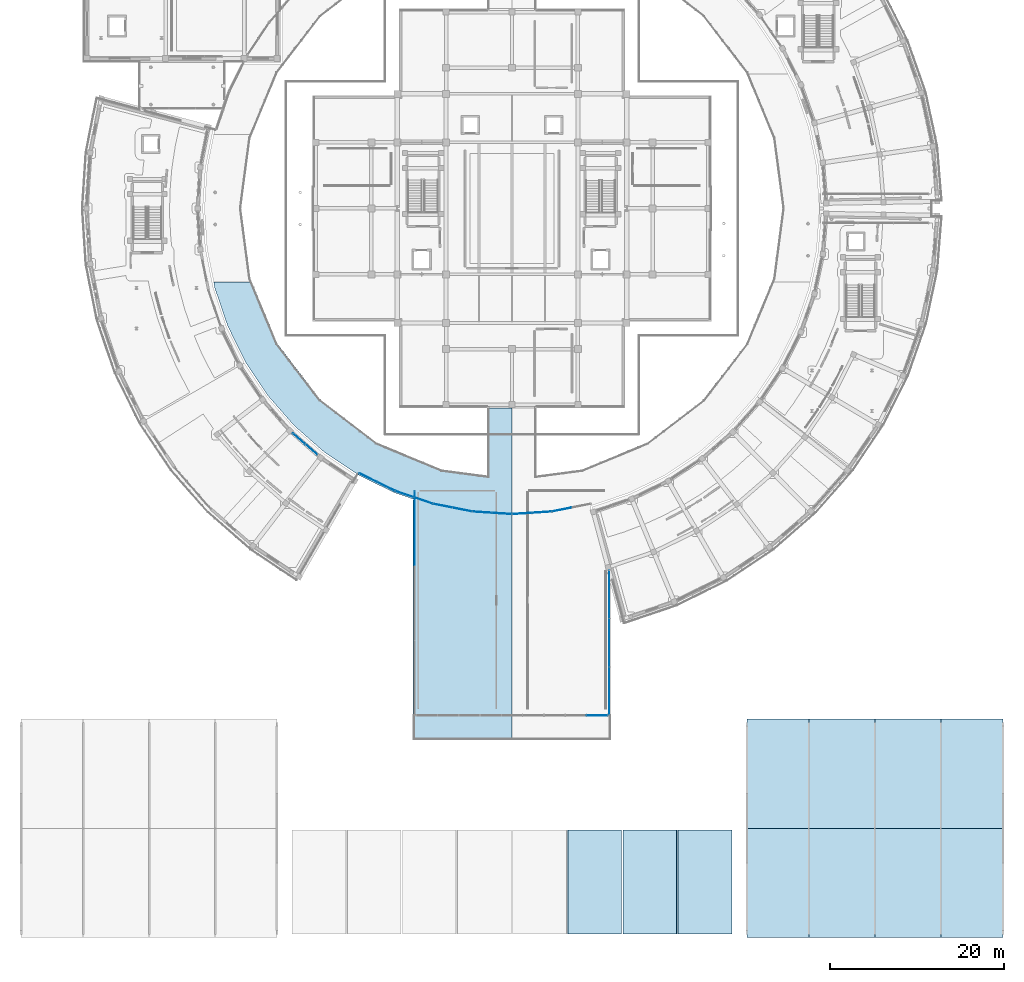
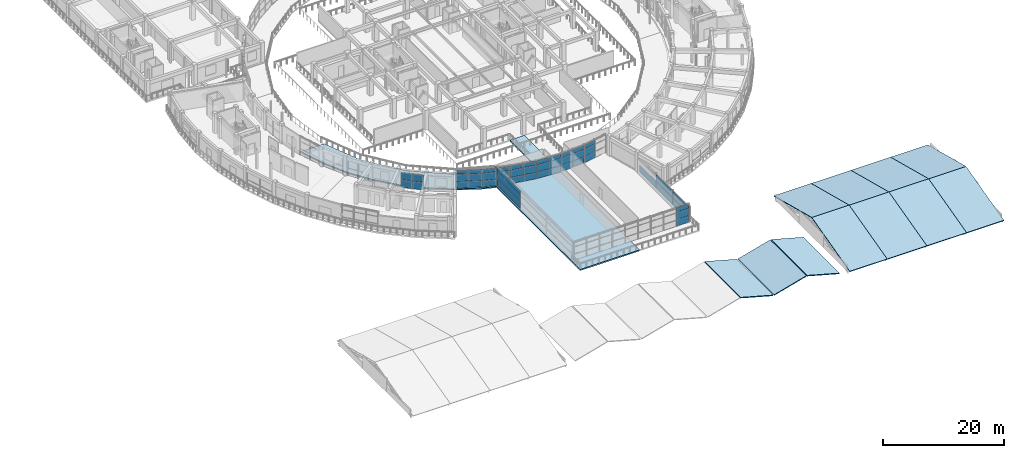
# One storey, part 45 of 83: 48 plates, 12 slabs, 10 elements without a shape of their own.
"""IFC4 building model written with IfcOpenShell, lengths in metres."""

from ifc_helpers import new_model, si_unit, direction, frame, origin, origin_2d, place, context, subcontext, project, spatial, polyline, rectangle, outline, extrude, material, layer, layer_set, type_object, element, aggregate, save


model = new_model("IFC4")

# Units and contexts
model_context = context("Model", 3, precision=1e-05, world=origin(), true_north=direction((0.0, 1.0)))
body_context = subcontext(model_context, "Body", "Model", "MODEL_VIEW")
ifc_project = project(units=[si_unit("LENGTHUNIT", "METRE"), si_unit("AREAUNIT", "SQUARE_METRE"), si_unit("VOLUMEUNIT", "CUBIC_METRE"), si_unit("PLANEANGLEUNIT", "RADIAN"), si_unit("MASSUNIT", "GRAM", prefix="KILO")], contexts=[model_context])

# Site, building, storey
site_placement = place(None, origin())
site = spatial("IfcSite", under=ifc_project, at=site_placement, CompositionType="ELEMENT")
building_placement = place(site_placement, origin())
building = spatial("IfcBuilding", under=site, at=building_placement, Name="Saryqyr Civic Hall", CompositionType="ELEMENT")
storey_placement = place(building_placement, frame((0.0, 0.0, 9.14990234375)))
storey = spatial("IfcBuildingStorey", under=building, at=storey_placement, Name="L02", CompositionType="ELEMENT", Elevation=9.14990234375)

# Curtain wall, plates
ifc_material_1 = material(Name="Anodised aluminium and triple low-E glass", Category="aluminium")
curtain_wall_type_1 = type_object("IfcCurtainWallType", Name="ENV-CW-STD-27", PredefinedType="NOTDEFINED", material=ifc_material_1)
curtain_wall_1_placement = place(storey_placement, origin())
curtain_wall_1 = element("IfcCurtainWall", 1, at=curtain_wall_1_placement, inside=storey, type_object=curtain_wall_type_1, Name="Curtain wall V4-CWI-L02-08", PredefinedType="NOTDEFINED")
ifc_material_2 = material(Name="Triple low-E insulated glazing", Category="glass")
ifc_layer_1 = layer(ifc_material_2, 0.053955078125, Name="Triple low-E insulated glazing")
ifc_layer_set_1 = layer_set([ifc_layer_1], Name="Triple low-E insulated glazing")
plate_type_1 = type_object("IfcPlateType", Name="ENV-CW-PNL-38", PredefinedType="CURTAIN_PANEL", material=ifc_layer_set_1)
plate_1_placement = place(storey_placement, frame((32.47412109375, 57.463134765625, 0.06005859375), z_axis=(0.0, 0.0, 1.0), x_axis=(0.751850148543, -0.65933402319, 0.0)))
plate_1 = element("IfcPlate", 2, at=plate_1_placement, type_object=plate_type_1, Name="CW-27 panel 1.1", PredefinedType="CURTAIN_PANEL", context=body_context, shape_type="SweptSolid", body=[
    extrude(rectangle(XDim=1.825439453125, YDim=0.053955078125, at=origin_2d()), origin(), (0.0, 0.0, 1.0), 1.491943359375),
])
plate_2_placement = place(storey_placement, frame((32.47412109375, 57.463134765625, 1.6123046875), z_axis=(0.0, 0.0, 1.0), x_axis=(0.751850148543, -0.65933402319, 0.0)))
plate_2 = element("IfcPlate", 3, at=plate_2_placement, type_object=plate_type_1, Name="CW-27 panel 1.2", PredefinedType="CURTAIN_PANEL", context=body_context, shape_type="SweptSolid", body=[
    extrude(rectangle(XDim=1.825439453125, YDim=0.053955078125, at=origin_2d()), origin(), (0.0, 0.0, 1.0), 1.492919921875),
])
plate_3_placement = place(storey_placement, frame((33.8916015625, 56.22021484375, 0.06005859375), z_axis=(0.0, 0.0, 1.0), x_axis=(0.751850148543, -0.65933402319, 0.0)))
plate_3 = element("IfcPlate", 4, at=plate_3_placement, type_object=plate_type_1, Name="CW-27 panel 2.1", PredefinedType="CURTAIN_PANEL", context=body_context, shape_type="SweptSolid", body=[
    extrude(rectangle(XDim=1.825439453125, YDim=0.053955078125, at=origin_2d()), origin(), (0.0, 0.0, 1.0), 1.491943359375),
])
plate_4_placement = place(storey_placement, frame((33.8916015625, 56.22021484375, 1.6123046875), z_axis=(0.0, 0.0, 1.0), x_axis=(0.751850148543, -0.65933402319, 0.0)))
plate_4 = element("IfcPlate", 5, at=plate_4_placement, type_object=plate_type_1, Name="CW-27 panel 2.2", PredefinedType="CURTAIN_PANEL", context=body_context, shape_type="SweptSolid", body=[
    extrude(rectangle(XDim=1.825439453125, YDim=0.053955078125, at=origin_2d()), origin(), (0.0, 0.0, 1.0), 1.492919921875),
])
aggregate(curtain_wall_1, [plate_1, plate_2, plate_3, plate_4])

curtain_wall_type_2 = type_object("IfcCurtainWallType", Name="ENV-CW-STD-70", PredefinedType="NOTDEFINED", material=ifc_material_1)
curtain_wall_2_placement = place(storey_placement, origin())
curtain_wall_2 = element("IfcCurtainWall", 6, at=curtain_wall_2_placement, inside=storey, type_object=curtain_wall_type_2, Name="Curtain wall V2-VESTFLK-SW-L02", PredefinedType="NOTDEFINED")
plate_5_placement = place(storey_placement, frame((45.800048828125, 47.169921875, 0.06005859375), z_axis=(0.0, 0.0, 1.0), x_axis=(0.0, 1.0, 0.0)))
plate_5 = element("IfcPlate", 7, at=plate_5_placement, type_object=plate_type_1, Name="CW-70 panel 3.1", PredefinedType="CURTAIN_PANEL", context=body_context, shape_type="SweptSolid", body=[
    extrude(rectangle(XDim=8.5400390625, YDim=0.053955078125, at=origin_2d()), origin(), (0.0, 0.0, 1.0), 1.241943359375),
])
plate_6_placement = place(storey_placement, frame((45.800048828125, 47.169921875, 1.362060546875), z_axis=(0.0, 0.0, 1.0), x_axis=(0.0, 1.0, 0.0)))
plate_6 = element("IfcPlate", 8, at=plate_6_placement, type_object=plate_type_1, Name="CW-70 panel 3.2", PredefinedType="CURTAIN_PANEL", context=body_context, shape_type="SweptSolid", body=[
    extrude(rectangle(XDim=8.5400390625, YDim=0.053955078125, at=origin_2d()), origin(), (0.0, 0.0, 1.0), 1.419921875),
])
plate_7_placement = place(storey_placement, frame((45.800048828125, 47.169921875, 2.84228515625), z_axis=(0.0, 0.0, 1.0), x_axis=(0.0, 1.0, 0.0)))
plate_7 = element("IfcPlate", 9, at=plate_7_placement, type_object=plate_type_1, Name="CW-70 panel 3.3", PredefinedType="CURTAIN_PANEL", context=body_context, shape_type="SweptSolid", body=[
    extrude(rectangle(XDim=8.5400390625, YDim=0.053955078125, at=origin_2d()), origin(), (0.0, 0.0, 1.0), 0.798095703125),
])
aggregate(curtain_wall_2, [plate_5, plate_6, plate_7])

curtain_wall_type_3 = type_object("IfcCurtainWallType", Name="ENV-CW-STD-78", PredefinedType="NOTDEFINED", material=ifc_material_1)
curtain_wall_3_placement = place(storey_placement, origin())
curtain_wall_3 = element("IfcCurtainWall", 10, at=curtain_wall_3_placement, inside=storey, type_object=curtain_wall_type_3, Name="Curtain wall V2-VESTFLK-SE-L02", PredefinedType="NOTDEFINED")
plate_8_placement = place(storey_placement, frame((68.199951171875, 39.5185546875, 0.06005859375), z_axis=(0.0, 0.0, 1.0), x_axis=(0.0, -1.0, 0.0)))
plate_8 = element("IfcPlate", 11, at=plate_8_placement, type_object=plate_type_1, Name="CW-78 panel 1.1", PredefinedType="CURTAIN_PANEL", context=body_context, shape_type="SweptSolid", body=[
    extrude(rectangle(XDim=5.4794921875, YDim=0.053955078125, at=origin_2d()), origin(), (0.0, 0.0, 1.0), 1.41796875),
])
plate_9_placement = place(storey_placement, frame((68.199951171875, 33.964111328125, 0.06005859375), z_axis=(0.0, 0.0, 1.0), x_axis=(0.0, -1.0, 0.0)))
plate_9 = element("IfcPlate", 12, at=plate_9_placement, type_object=plate_type_1, Name="CW-78 panel 2.1", PredefinedType="CURTAIN_PANEL", context=body_context, shape_type="SweptSolid", body=[
    extrude(rectangle(XDim=5.509521484375, YDim=0.053955078125, at=origin_2d()), origin(), (0.0, 0.0, 1.0), 1.41796875),
])
plate_10_placement = place(storey_placement, frame((68.199951171875, 33.964111328125, 1.5380859375), z_axis=(0.0, 0.0, 1.0), x_axis=(0.0, -1.0, 0.0)))
plate_10 = element("IfcPlate", 13, at=plate_10_placement, type_object=plate_type_1, Name="CW-78 panel 2.2", PredefinedType="CURTAIN_PANEL", context=body_context, shape_type="SweptSolid", body=[
    extrude(rectangle(XDim=5.509521484375, YDim=0.053955078125, at=origin_2d()), origin(), (0.0, 0.0, 1.0), 1.4169921875),
])
plate_11_placement = place(storey_placement, frame((68.199951171875, 28.40966796875, 0.06005859375), z_axis=(0.0, 0.0, 1.0), x_axis=(0.0, -1.0, 0.0)))
plate_11 = element("IfcPlate", 14, at=plate_11_placement, type_object=plate_type_1, Name="CW-78 panel 3.1", PredefinedType="CURTAIN_PANEL", context=body_context, shape_type="SweptSolid", body=[
    extrude(rectangle(XDim=5.4794921875, YDim=0.053955078125, at=origin_2d()), origin(), (0.0, 0.0, 1.0), 1.41796875),
])
plate_12_placement = place(storey_placement, frame((68.199951171875, 28.40966796875, 1.5380859375), z_axis=(0.0, 0.0, 1.0), x_axis=(0.0, -1.0, 0.0)))
plate_12 = element("IfcPlate", 15, at=plate_12_placement, type_object=plate_type_1, Name="CW-78 panel 3.2", PredefinedType="CURTAIN_PANEL", context=body_context, shape_type="SweptSolid", body=[
    extrude(rectangle(XDim=5.4794921875, YDim=0.053955078125, at=origin_2d()), origin(), (0.0, 0.0, 1.0), 1.4169921875),
])
aggregate(curtain_wall_3, [plate_8, plate_9, plate_10, plate_11, plate_12])

curtain_wall_type_4 = type_object("IfcCurtainWallType", Name="ENV-CW-STD-74", PredefinedType="NOTDEFINED", material=ifc_material_1)
curtain_wall_4_placement = place(storey_placement, origin())
curtain_wall_4 = element("IfcCurtainWall", 16, at=curtain_wall_4_placement, inside=storey, type_object=curtain_wall_type_4, Name="Curtain wall V2-PERIM-CW-L02-32", PredefinedType="NOTDEFINED")
plate_13_placement = place(storey_placement, frame((42.4755859375, 51.97705078125, 0.06005859375), z_axis=(0.0, 0.0, 1.0), x_axis=(-0.896875116746, 0.44228387373, 0.0)))
plate_13 = element("IfcPlate", 17, at=plate_13_placement, type_object=plate_type_1, Name="CW-74 panel 1.1", PredefinedType="CURTAIN_PANEL", context=body_context, shape_type="SweptSolid", body=[
    extrude(rectangle(XDim=2.21337890625, YDim=0.053955078125, at=origin_2d()), origin(), (0.0, 0.0, 1.0), 1.241943359375),
])
plate_14_placement = place(storey_placement, frame((42.4755859375, 51.97705078125, 1.362060546875), z_axis=(0.0, 0.0, 1.0), x_axis=(-0.896875116746, 0.44228387373, 0.0)))
plate_14 = element("IfcPlate", 18, at=plate_14_placement, type_object=plate_type_1, Name="CW-74 panel 1.2", PredefinedType="CURTAIN_PANEL", context=body_context, shape_type="SweptSolid", body=[
    extrude(rectangle(XDim=2.21337890625, YDim=0.053955078125, at=origin_2d()), origin(), (0.0, 0.0, 1.0), 1.419921875),
])
plate_15_placement = place(storey_placement, frame((42.4755859375, 51.97705078125, 2.84228515625), z_axis=(0.0, 0.0, 1.0), x_axis=(-0.896875116746, 0.44228387373, 0.0)))
plate_15 = element("IfcPlate", 19, at=plate_15_placement, type_object=plate_type_1, Name="CW-74 panel 1.3", PredefinedType="CURTAIN_PANEL", context=body_context, shape_type="SweptSolid", body=[
    extrude(rectangle(XDim=2.21337890625, YDim=0.053955078125, at=origin_2d()), origin(), (0.0, 0.0, 1.0), 0.798095703125),
])
plate_16_placement = place(storey_placement, frame((40.4365234375, 52.982666015625, 0.06005859375), z_axis=(0.0, 0.0, 1.0), x_axis=(-0.896875116746, 0.44228387373, 0.0)))
plate_16 = element("IfcPlate", 20, at=plate_16_placement, type_object=plate_type_1, Name="CW-74 panel 2.1", PredefinedType="CURTAIN_PANEL", context=body_context, shape_type="SweptSolid", body=[
    extrude(rectangle(XDim=2.21337890625, YDim=0.053955078125, at=origin_2d()), origin(), (0.0, 0.0, 1.0), 1.241943359375),
])
plate_17_placement = place(storey_placement, frame((40.4365234375, 52.982666015625, 1.362060546875), z_axis=(0.0, 0.0, 1.0), x_axis=(-0.896875116746, 0.44228387373, 0.0)))
plate_17 = element("IfcPlate", 21, at=plate_17_placement, type_object=plate_type_1, Name="CW-74 panel 2.2", PredefinedType="CURTAIN_PANEL", context=body_context, shape_type="SweptSolid", body=[
    extrude(rectangle(XDim=2.21337890625, YDim=0.053955078125, at=origin_2d()), origin(), (0.0, 0.0, 1.0), 1.419921875),
])
plate_18_placement = place(storey_placement, frame((40.4365234375, 52.982666015625, 2.84228515625), z_axis=(0.0, 0.0, 1.0), x_axis=(-0.896875116746, 0.44228387373, 0.0)))
plate_18 = element("IfcPlate", 22, at=plate_18_placement, type_object=plate_type_1, Name="CW-74 panel 2.3", PredefinedType="CURTAIN_PANEL", context=body_context, shape_type="SweptSolid", body=[
    extrude(rectangle(XDim=2.21337890625, YDim=0.053955078125, at=origin_2d()), origin(), (0.0, 0.0, 1.0), 0.798095703125),
])
aggregate(curtain_wall_4, [plate_13, plate_14, plate_15, plate_16, plate_17, plate_18])

curtain_wall_5_placement = place(storey_placement, origin())
curtain_wall_5 = element("IfcCurtainWall", 23, at=curtain_wall_5_placement, inside=storey, type_object=curtain_wall_type_4, Name="Curtain wall V2-PERIM-CW-L02-33", PredefinedType="NOTDEFINED")
plate_19_placement = place(storey_placement, frame((46.779541015625, 50.355224609375, 0.06005859375), z_axis=(0.0, 0.0, 1.0), x_axis=(-0.946928094828, 0.321445459178, 0.0)))
plate_19 = element("IfcPlate", 24, at=plate_19_placement, type_object=plate_type_1, Name="CW-74 panel 1.1", PredefinedType="CURTAIN_PANEL", context=body_context, shape_type="SweptSolid", body=[
    extrude(rectangle(XDim=2.213623046875, YDim=0.053955078125, at=origin_2d()), origin(), (0.0, 0.0, 1.0), 1.241943359375),
])
plate_20_placement = place(storey_placement, frame((46.779541015625, 50.355224609375, 1.362060546875), z_axis=(0.0, 0.0, 1.0), x_axis=(-0.946928094828, 0.321445459178, 0.0)))
plate_20 = element("IfcPlate", 25, at=plate_20_placement, type_object=plate_type_1, Name="CW-74 panel 1.2", PredefinedType="CURTAIN_PANEL", context=body_context, shape_type="SweptSolid", body=[
    extrude(rectangle(XDim=2.213623046875, YDim=0.053955078125, at=origin_2d()), origin(), (0.0, 0.0, 1.0), 1.419921875),
])
plate_21_placement = place(storey_placement, frame((46.779541015625, 50.355224609375, 2.84228515625), z_axis=(0.0, 0.0, 1.0), x_axis=(-0.946928094828, 0.321445459178, 0.0)))
plate_21 = element("IfcPlate", 26, at=plate_21_placement, type_object=plate_type_1, Name="CW-74 panel 1.3", PredefinedType="CURTAIN_PANEL", context=body_context, shape_type="SweptSolid", body=[
    extrude(rectangle(XDim=2.213623046875, YDim=0.053955078125, at=origin_2d()), origin(), (0.0, 0.0, 1.0), 0.798095703125),
])
plate_22_placement = place(storey_placement, frame((44.626708984375, 51.0859375, 0.06005859375), z_axis=(0.0, 0.0, 1.0), x_axis=(-0.946928094828, 0.321445459178, 0.0)))
plate_22 = element("IfcPlate", 27, at=plate_22_placement, type_object=plate_type_1, Name="CW-74 panel 2.1", PredefinedType="CURTAIN_PANEL", context=body_context, shape_type="SweptSolid", body=[
    extrude(rectangle(XDim=2.213623046875, YDim=0.053955078125, at=origin_2d()), origin(), (0.0, 0.0, 1.0), 1.241943359375),
])
plate_23_placement = place(storey_placement, frame((44.626708984375, 51.0859375, 1.362060546875), z_axis=(0.0, 0.0, 1.0), x_axis=(-0.946928094828, 0.321445459178, 0.0)))
plate_23 = element("IfcPlate", 28, at=plate_23_placement, type_object=plate_type_1, Name="CW-74 panel 2.2", PredefinedType="CURTAIN_PANEL", context=body_context, shape_type="SweptSolid", body=[
    extrude(rectangle(XDim=2.213623046875, YDim=0.053955078125, at=origin_2d()), origin(), (0.0, 0.0, 1.0), 1.419921875),
])
plate_24_placement = place(storey_placement, frame((44.626708984375, 51.0859375, 2.84228515625), z_axis=(0.0, 0.0, 1.0), x_axis=(-0.946928094828, 0.321445459178, 0.0)))
plate_24 = element("IfcPlate", 29, at=plate_24_placement, type_object=plate_type_1, Name="CW-74 panel 2.3", PredefinedType="CURTAIN_PANEL", context=body_context, shape_type="SweptSolid", body=[
    extrude(rectangle(XDim=2.213623046875, YDim=0.053955078125, at=origin_2d()), origin(), (0.0, 0.0, 1.0), 0.798095703125),
])
aggregate(curtain_wall_5, [plate_19, plate_20, plate_21, plate_22, plate_23, plate_24])

curtain_wall_6_placement = place(storey_placement, origin())
curtain_wall_6 = element("IfcCurtainWall", 30, at=curtain_wall_6_placement, inside=storey, type_object=curtain_wall_type_4, Name="Curtain wall V2-PERIM-CW-L02-34", PredefinedType="NOTDEFINED")
plate_25_placement = place(storey_placement, frame((51.258544921875, 49.308837890625, 0.06005859375), z_axis=(0.0, 0.0, 1.0), x_axis=(-0.980784679507, 0.195093342902, 0.0)))
plate_25 = element("IfcPlate", 31, at=plate_25_placement, type_object=plate_type_1, Name="CW-74 panel 1.1", PredefinedType="CURTAIN_PANEL", context=body_context, shape_type="SweptSolid", body=[
    extrude(rectangle(XDim=2.213623046875, YDim=0.053955078125, at=origin_2d()), origin(), (0.0, 0.0, 1.0), 1.241943359375),
])
plate_26_placement = place(storey_placement, frame((51.258544921875, 49.308837890625, 1.362060546875), z_axis=(0.0, 0.0, 1.0), x_axis=(-0.980784679507, 0.195093342902, 0.0)))
plate_26 = element("IfcPlate", 32, at=plate_26_placement, type_object=plate_type_1, Name="CW-74 panel 1.2", PredefinedType="CURTAIN_PANEL", context=body_context, shape_type="SweptSolid", body=[
    extrude(rectangle(XDim=2.213623046875, YDim=0.053955078125, at=origin_2d()), origin(), (0.0, 0.0, 1.0), 1.419921875),
])
plate_27_placement = place(storey_placement, frame((51.258544921875, 49.308837890625, 2.84228515625), z_axis=(0.0, 0.0, 1.0), x_axis=(-0.980784679507, 0.195093342902, 0.0)))
plate_27 = element("IfcPlate", 33, at=plate_27_placement, type_object=plate_type_1, Name="CW-74 panel 1.3", PredefinedType="CURTAIN_PANEL", context=body_context, shape_type="SweptSolid", body=[
    extrude(rectangle(XDim=2.213623046875, YDim=0.053955078125, at=origin_2d()), origin(), (0.0, 0.0, 1.0), 0.798095703125),
])
plate_28_placement = place(storey_placement, frame((49.02880859375, 49.75244140625, 0.06005859375), z_axis=(0.0, 0.0, 1.0), x_axis=(-0.980784679507, 0.195093342902, 0.0)))
plate_28 = element("IfcPlate", 34, at=plate_28_placement, type_object=plate_type_1, Name="CW-74 panel 2.1", PredefinedType="CURTAIN_PANEL", context=body_context, shape_type="SweptSolid", body=[
    extrude(rectangle(XDim=2.213623046875, YDim=0.053955078125, at=origin_2d()), origin(), (0.0, 0.0, 1.0), 1.241943359375),
])
plate_29_placement = place(storey_placement, frame((49.02880859375, 49.75244140625, 1.362060546875), z_axis=(0.0, 0.0, 1.0), x_axis=(-0.980784679507, 0.195093342902, 0.0)))
plate_29 = element("IfcPlate", 35, at=plate_29_placement, type_object=plate_type_1, Name="CW-74 panel 2.2", PredefinedType="CURTAIN_PANEL", context=body_context, shape_type="SweptSolid", body=[
    extrude(rectangle(XDim=2.213623046875, YDim=0.053955078125, at=origin_2d()), origin(), (0.0, 0.0, 1.0), 1.419921875),
])
plate_30_placement = place(storey_placement, frame((49.02880859375, 49.75244140625, 2.84228515625), z_axis=(0.0, 0.0, 1.0), x_axis=(-0.980784679507, 0.195093342902, 0.0)))
plate_30 = element("IfcPlate", 36, at=plate_30_placement, type_object=plate_type_1, Name="CW-74 panel 2.3", PredefinedType="CURTAIN_PANEL", context=body_context, shape_type="SweptSolid", body=[
    extrude(rectangle(XDim=2.213623046875, YDim=0.053955078125, at=origin_2d()), origin(), (0.0, 0.0, 1.0), 0.798095703125),
])
aggregate(curtain_wall_6, [plate_25, plate_26, plate_27, plate_28, plate_29, plate_30])

curtain_wall_7_placement = place(storey_placement, origin())
curtain_wall_7 = element("IfcCurtainWall", 37, at=curtain_wall_7_placement, inside=storey, type_object=curtain_wall_type_4, Name="Curtain wall V2-PERIM-CW-L02-35", PredefinedType="NOTDEFINED")
plate_31_placement = place(storey_placement, frame((55.835693359375, 48.856201171875, 0.06005859375), z_axis=(0.0, 0.0, 1.0), x_axis=(-0.997859062814, 0.065400999681, 0.0)))
plate_31 = element("IfcPlate", 38, at=plate_31_placement, type_object=plate_type_1, Name="CW-74 panel 1.1", PredefinedType="CURTAIN_PANEL", context=body_context, shape_type="SweptSolid", body=[
    extrude(rectangle(XDim=2.21337890625, YDim=0.053955078125, at=origin_2d()), origin(), (0.0, 0.0, 1.0), 1.241943359375),
])
plate_32_placement = place(storey_placement, frame((55.835693359375, 48.856201171875, 1.362060546875), z_axis=(0.0, 0.0, 1.0), x_axis=(-0.997859062814, 0.065400999681, 0.0)))
plate_32 = element("IfcPlate", 39, at=plate_32_placement, type_object=plate_type_1, Name="CW-74 panel 1.2", PredefinedType="CURTAIN_PANEL", context=body_context, shape_type="SweptSolid", body=[
    extrude(rectangle(XDim=2.21337890625, YDim=0.053955078125, at=origin_2d()), origin(), (0.0, 0.0, 1.0), 1.419921875),
])
plate_33_placement = place(storey_placement, frame((55.835693359375, 48.856201171875, 2.84228515625), z_axis=(0.0, 0.0, 1.0), x_axis=(-0.997859062814, 0.065400999681, 0.0)))
plate_33 = element("IfcPlate", 40, at=plate_33_placement, type_object=plate_type_1, Name="CW-74 panel 1.3", PredefinedType="CURTAIN_PANEL", context=body_context, shape_type="SweptSolid", body=[
    extrude(rectangle(XDim=2.21337890625, YDim=0.053955078125, at=origin_2d()), origin(), (0.0, 0.0, 1.0), 0.798095703125),
])
plate_34_placement = place(storey_placement, frame((53.567138671875, 49.0048828125, 0.06005859375), z_axis=(0.0, 0.0, 1.0), x_axis=(-0.997859062814, 0.065400999681, 0.0)))
plate_34 = element("IfcPlate", 41, at=plate_34_placement, type_object=plate_type_1, Name="CW-74 panel 2.1", PredefinedType="CURTAIN_PANEL", context=body_context, shape_type="SweptSolid", body=[
    extrude(rectangle(XDim=2.21337890625, YDim=0.053955078125, at=origin_2d()), origin(), (0.0, 0.0, 1.0), 1.241943359375),
])
plate_35_placement = place(storey_placement, frame((53.567138671875, 49.0048828125, 1.362060546875), z_axis=(0.0, 0.0, 1.0), x_axis=(-0.997859062814, 0.065400999681, 0.0)))
plate_35 = element("IfcPlate", 42, at=plate_35_placement, type_object=plate_type_1, Name="CW-74 panel 2.2", PredefinedType="CURTAIN_PANEL", context=body_context, shape_type="SweptSolid", body=[
    extrude(rectangle(XDim=2.21337890625, YDim=0.053955078125, at=origin_2d()), origin(), (0.0, 0.0, 1.0), 1.419921875),
])
plate_36_placement = place(storey_placement, frame((53.567138671875, 49.0048828125, 2.84228515625), z_axis=(0.0, 0.0, 1.0), x_axis=(-0.997859062814, 0.065400999681, 0.0)))
plate_36 = element("IfcPlate", 43, at=plate_36_placement, type_object=plate_type_1, Name="CW-74 panel 2.3", PredefinedType="CURTAIN_PANEL", context=body_context, shape_type="SweptSolid", body=[
    extrude(rectangle(XDim=2.21337890625, YDim=0.053955078125, at=origin_2d()), origin(), (0.0, 0.0, 1.0), 0.798095703125),
])
aggregate(curtain_wall_7, [plate_31, plate_32, plate_33, plate_34, plate_35, plate_36])

curtain_wall_8_placement = place(storey_placement, origin())
curtain_wall_8 = element("IfcCurtainWall", 44, at=curtain_wall_8_placement, inside=storey, type_object=curtain_wall_type_4, Name="Curtain wall V2-PERIM-CW-L02-36", PredefinedType="NOTDEFINED")
plate_37_placement = place(storey_placement, frame((60.432861328125, 49.0048828125, 0.06005859375), z_axis=(0.0, 0.0, 1.0), x_axis=(-0.997859062814, -0.065400999681, 0.0)))
plate_37 = element("IfcPlate", 45, at=plate_37_placement, type_object=plate_type_1, Name="CW-74 panel 1.1", PredefinedType="CURTAIN_PANEL", context=body_context, shape_type="SweptSolid", body=[
    extrude(rectangle(XDim=2.21337890625, YDim=0.053955078125, at=origin_2d()), origin(), (0.0, 0.0, 1.0), 1.241943359375),
])
plate_38_placement = place(storey_placement, frame((60.432861328125, 49.0048828125, 1.362060546875), z_axis=(0.0, 0.0, 1.0), x_axis=(-0.997859062814, -0.065400999681, 0.0)))
plate_38 = element("IfcPlate", 46, at=plate_38_placement, type_object=plate_type_1, Name="CW-74 panel 1.2", PredefinedType="CURTAIN_PANEL", context=body_context, shape_type="SweptSolid", body=[
    extrude(rectangle(XDim=2.21337890625, YDim=0.053955078125, at=origin_2d()), origin(), (0.0, 0.0, 1.0), 1.419921875),
])
plate_39_placement = place(storey_placement, frame((60.432861328125, 49.0048828125, 2.84228515625), z_axis=(0.0, 0.0, 1.0), x_axis=(-0.997859062814, -0.065400999681, 0.0)))
plate_39 = element("IfcPlate", 47, at=plate_39_placement, type_object=plate_type_1, Name="CW-74 panel 1.3", PredefinedType="CURTAIN_PANEL", context=body_context, shape_type="SweptSolid", body=[
    extrude(rectangle(XDim=2.21337890625, YDim=0.053955078125, at=origin_2d()), origin(), (0.0, 0.0, 1.0), 0.798095703125),
])
plate_40_placement = place(storey_placement, frame((58.164306640625, 48.856201171875, 0.06005859375), z_axis=(0.0, 0.0, 1.0), x_axis=(-0.997859062814, -0.065400999681, 0.0)))
plate_40 = element("IfcPlate", 48, at=plate_40_placement, type_object=plate_type_1, Name="CW-74 panel 2.1", PredefinedType="CURTAIN_PANEL", context=body_context, shape_type="SweptSolid", body=[
    extrude(rectangle(XDim=2.21337890625, YDim=0.053955078125, at=origin_2d()), origin(), (0.0, 0.0, 1.0), 1.241943359375),
])
plate_41_placement = place(storey_placement, frame((58.164306640625, 48.856201171875, 1.362060546875), z_axis=(0.0, 0.0, 1.0), x_axis=(-0.997859062814, -0.065400999681, 0.0)))
plate_41 = element("IfcPlate", 49, at=plate_41_placement, type_object=plate_type_1, Name="CW-74 panel 2.2", PredefinedType="CURTAIN_PANEL", context=body_context, shape_type="SweptSolid", body=[
    extrude(rectangle(XDim=2.21337890625, YDim=0.053955078125, at=origin_2d()), origin(), (0.0, 0.0, 1.0), 1.419921875),
])
plate_42_placement = place(storey_placement, frame((58.164306640625, 48.856201171875, 2.84228515625), z_axis=(0.0, 0.0, 1.0), x_axis=(-0.997859062814, -0.065400999681, 0.0)))
plate_42 = element("IfcPlate", 50, at=plate_42_placement, type_object=plate_type_1, Name="CW-74 panel 2.3", PredefinedType="CURTAIN_PANEL", context=body_context, shape_type="SweptSolid", body=[
    extrude(rectangle(XDim=2.21337890625, YDim=0.053955078125, at=origin_2d()), origin(), (0.0, 0.0, 1.0), 0.798095703125),
])
aggregate(curtain_wall_8, [plate_37, plate_38, plate_39, plate_40, plate_41, plate_42])

curtain_wall_9_placement = place(storey_placement, origin())
curtain_wall_9 = element("IfcCurtainWall", 51, at=curtain_wall_9_placement, inside=storey, type_object=curtain_wall_type_4, Name="Curtain wall V2-PERIM-CW-L02-37", PredefinedType="NOTDEFINED")
plate_43_placement = place(storey_placement, frame((62.741455078125, 49.308837890625, 0.06005859375), z_axis=(0.0, 0.0, 1.0), x_axis=(-0.980784679507, -0.195093342902, 0.0)))
plate_43 = element("IfcPlate", 52, at=plate_43_placement, type_object=plate_type_1, Name="CW-74 panel 2.1", PredefinedType="CURTAIN_PANEL", context=body_context, shape_type="SweptSolid", body=[
    extrude(rectangle(XDim=2.213623046875, YDim=0.053955078125, at=origin_2d()), origin(), (0.0, 0.0, 1.0), 1.241943359375),
])
plate_44_placement = place(storey_placement, frame((62.741455078125, 49.308837890625, 1.362060546875), z_axis=(0.0, 0.0, 1.0), x_axis=(-0.980784679507, -0.195093342902, 0.0)))
plate_44 = element("IfcPlate", 53, at=plate_44_placement, type_object=plate_type_1, Name="CW-74 panel 2.2", PredefinedType="CURTAIN_PANEL", context=body_context, shape_type="SweptSolid", body=[
    extrude(rectangle(XDim=2.213623046875, YDim=0.053955078125, at=origin_2d()), origin(), (0.0, 0.0, 1.0), 1.419921875),
])
plate_45_placement = place(storey_placement, frame((62.741455078125, 49.308837890625, 2.84228515625), z_axis=(0.0, 0.0, 1.0), x_axis=(-0.980784679507, -0.195093342902, 0.0)))
plate_45 = element("IfcPlate", 54, at=plate_45_placement, type_object=plate_type_1, Name="CW-74 panel 2.3", PredefinedType="CURTAIN_PANEL", context=body_context, shape_type="SweptSolid", body=[
    extrude(rectangle(XDim=2.213623046875, YDim=0.053955078125, at=origin_2d()), origin(), (0.0, 0.0, 1.0), 0.798095703125),
])
aggregate(curtain_wall_9, [plate_43, plate_44, plate_45])

curtain_wall_type_5 = type_object("IfcCurtainWallType", Name="ENV-CW-HVY-69", PredefinedType="NOTDEFINED", material=ifc_material_1)
curtain_wall_10_placement = place(storey_placement, origin())
curtain_wall_10 = element("IfcCurtainWall", 55, at=curtain_wall_10_placement, inside=storey, type_object=curtain_wall_type_5, Name="Curtain wall V2-PORTAL-CW-S-L02-2", PredefinedType="NOTDEFINED")
ifc_material_3 = material(Name="Acoustic laminated low-E glazing", Category="glass")
ifc_layer_2 = layer(ifc_material_3, 0.072021484375, Name="Acoustic laminated low-E glazing")
ifc_layer_set_2 = layer_set([ifc_layer_2], Name="Acoustic laminated low-E glazing")
plate_type_2 = type_object("IfcPlateType", Name="ENV-CW-PNL-52", PredefinedType="CURTAIN_PANEL", material=ifc_layer_set_2)
plate_46_placement = place(storey_placement, frame((66.8046875, 25.610107421875, 0.070068359375), z_axis=(0.0, 0.0, 1.0), x_axis=(-1.0, 0.0, 0.0)))
plate_46 = element("IfcPlate", 56, at=plate_46_placement, type_object=plate_type_2, Name="CW-69 panel 1.1", PredefinedType="CURTAIN_PANEL", context=body_context, shape_type="SweptSolid", body=[
    extrude(rectangle(XDim=2.3505859375, YDim=0.072021484375, at=origin_2d()), origin(), (0.0, 0.0, 1.0), 1.22705078125),
])
plate_47_placement = place(storey_placement, frame((66.8046875, 25.610107421875, 1.3671875), z_axis=(0.0, 0.0, 1.0), x_axis=(-1.0, 0.0, 0.0)))
plate_47 = element("IfcPlate", 57, at=plate_47_placement, type_object=plate_type_2, Name="CW-69 panel 1.2", PredefinedType="CURTAIN_PANEL", context=body_context, shape_type="SweptSolid", body=[
    extrude(rectangle(XDim=2.3505859375, YDim=0.072021484375, at=origin_2d()), origin(), (0.0, 0.0, 1.0), 1.409912109375),
])
plate_48_placement = place(storey_placement, frame((66.8046875, 25.610107421875, 2.84716796875), z_axis=(0.0, 0.0, 1.0), x_axis=(-1.0, 0.0, 0.0)))
plate_48 = element("IfcPlate", 58, at=plate_48_placement, type_object=plate_type_2, Name="CW-69 panel 1.3", PredefinedType="CURTAIN_PANEL", context=body_context, shape_type="SweptSolid", body=[
    extrude(rectangle(XDim=2.3505859375, YDim=0.072021484375, at=origin_2d()), origin(), (0.0, 0.0, 1.0), 0.782958984375),
])
aggregate(curtain_wall_10, [plate_46, plate_47, plate_48])

# Slabs
ifc_material_4 = material(Name="Concrete C35/45", Category="concrete")
ifc_layer_3 = layer(ifc_material_4, 0.25, Name="Concrete C35/45")
ifc_layer_set_3 = layer_set([ifc_layer_3], Name="Concrete C35/45")
slab_type_1 = type_object("IfcSlabType", Name="STR-SLB-FLR-250", PredefinedType="FLOOR", material=ifc_layer_set_3)
slab_1_placement = place(storey_placement, frame((0.0, 0.0, -0.25)))
element("IfcSlab", 59, at=slab_1_placement, inside=storey, type_object=slab_type_1, Name="Slab SLB-V2SW-L02", PredefinedType="FLOOR", context=body_context, shape_type="SweptSolid", body=[
    extrude(outline(polyline([(45.60009765625, 50.39990234375), (45.964599609375, 50.39990234375), (43.437744140625, 51.2578125), (39.281982421875, 53.306884765625), (35.42578125, 55.8837890625), (31.9404296875, 58.9404296875), (28.8837890625, 62.42578125), (26.308349609375, 66.2802734375), (24.258056640625, 70.43798828125), (22.767822265625, 74.827392578125), (22.634033203125, 75.5), (27.0390625, 75.5), (29.97998046875, 68.39990234375), (34.938232421875, 61.938232421875), (41.39990234375, 56.97998046875), (48.9248046875, 53.863037109375), (54.199951171875, 53.168701171875), (54.199951171875, 61.0), (57.0, 61.0), (57.0, 22.800048828125), (45.60009765625, 22.800048828125), (45.60009765625, 50.39990234375)])), origin(), (0.0, 0.0, 1.0), 0.25),
])
ifc_material_5 = material(Name="Precast concrete C40/50", Category="concrete")
ifc_layer_4 = layer(ifc_material_5, 0.169921875, Name="Precast concrete C40/50")
ifc_layer_set_4 = layer_set([ifc_layer_4], Name="Precast concrete C40/50")
slab_type_2 = type_object("IfcSlabType", Name="STR-SLB-ROOF-170", PredefinedType="ROOF", material=ifc_layer_set_4)
slab_2_placement = place(storey_placement, frame((84.050048828125, 0.0, 0.0), z_axis=(0.0, -0.250164532687, 0.968203339483), x_axis=(1.0, 0.0, 0.0)))
element("IfcSlab", 60, at=slab_2_placement, inside=storey, type_object=slab_type_2, Name="V7E-RSLB-S1", PredefinedType="ROOF", context=body_context, shape_type="SweptSolid", body=[
    extrude(outline(polyline([(0.0, 0.0), (7.14990234375, 0.0), (7.14990234375, 13.013896092305767), (0.0, 13.013896092305767), (0.0, 0.0)])), origin(), (0.0, 0.0, -1.0), 0.169921875),
])
slab_3_placement = place(storey_placement, frame((91.199951171875, 25.199951171875, 0.0), z_axis=(0.0, 0.250169076628, 0.968202165407), x_axis=(-1.0, 0.0, 0.0)))
element("IfcSlab", 61, at=slab_3_placement, inside=storey, type_object=slab_type_2, Name="V7E-RSLB-N1", PredefinedType="ROOF", context=body_context, shape_type="SweptSolid", body=[
    extrude(outline(polyline([(0.0, 0.0), (7.14990234375, 0.0), (7.14990234375, 13.013659714680658), (0.0, 13.013659714680658), (0.0, 0.0)])), origin(), (0.0, 0.0, -1.0), 0.169921875),
])
slab_4_placement = place(storey_placement, frame((91.199951171875, 0.0, 0.0), z_axis=(0.0, -0.250164532687, 0.968203339483), x_axis=(1.0, 0.0, 0.0)))
element("IfcSlab", 62, at=slab_4_placement, inside=storey, type_object=slab_type_2, Name="V7E-RSLB-S2", PredefinedType="ROOF", context=body_context, shape_type="SweptSolid", body=[
    extrude(outline(polyline([(0.0, 0.0), (7.60009765625, 0.0), (7.60009765625, 13.013896092305767), (0.0, 13.013896092305767), (0.0, 0.0)])), origin(), (0.0, 0.0, -1.0), 0.169921875),
])
slab_5_placement = place(storey_placement, frame((98.800048828125, 25.199951171875, 0.0), z_axis=(0.0, 0.250169076628, 0.968202165407), x_axis=(-1.0, 0.0, 0.0)))
element("IfcSlab", 63, at=slab_5_placement, inside=storey, type_object=slab_type_2, Name="V7E-RSLB-N2", PredefinedType="ROOF", context=body_context, shape_type="SweptSolid", body=[
    extrude(outline(polyline([(0.0, 0.0), (7.60009765625, 0.0), (7.60009765625, 13.013659714680658), (0.0, 13.013659714680658), (0.0, 0.0)])), origin(), (0.0, 0.0, -1.0), 0.169921875),
])
slab_6_placement = place(storey_placement, frame((98.800048828125, 0.0, 0.0), z_axis=(0.0, -0.250164532687, 0.968203339483), x_axis=(1.0, 0.0, 0.0)))
element("IfcSlab", 64, at=slab_6_placement, inside=storey, type_object=slab_type_2, Name="V7E-RSLB-S3", PredefinedType="ROOF", context=body_context, shape_type="SweptSolid", body=[
    extrude(outline(polyline([(0.0, 0.0), (7.599853515625, 0.0), (7.599853515625, 13.013896092305767), (0.0, 13.013896092305767), (0.0, 0.0)])), origin(), (0.0, 0.0, -1.0), 0.169921875),
])
slab_7_placement = place(storey_placement, frame((106.39990234375, 25.199951171875, 0.0), z_axis=(0.0, 0.250169076628, 0.968202165407), x_axis=(-1.0, 0.0, 0.0)))
element("IfcSlab", 65, at=slab_7_placement, inside=storey, type_object=slab_type_2, Name="V7E-RSLB-N3", PredefinedType="ROOF", context=body_context, shape_type="SweptSolid", body=[
    extrude(outline(polyline([(0.0, 0.0), (7.599853515625, 0.0), (7.599853515625, 13.013659714680658), (0.0, 13.013659714680658), (0.0, 0.0)])), origin(), (0.0, 0.0, -1.0), 0.169921875),
])
slab_8_placement = place(storey_placement, frame((106.39990234375, 0.0, 0.0), z_axis=(0.0, -0.250164532687, 0.968203339483), x_axis=(1.0, 0.0, 0.0)))
element("IfcSlab", 66, at=slab_8_placement, inside=storey, type_object=slab_type_2, Name="V7E-RSLB-S4", PredefinedType="ROOF", context=body_context, shape_type="SweptSolid", body=[
    extrude(outline(polyline([(0.0, 0.0), (7.150146484375, 0.0), (7.150146484375, 13.013896092305767), (0.0, 13.013896092305767), (0.0, 0.0)])), origin(), (0.0, 0.0, -1.0), 0.169921875),
])
slab_9_placement = place(storey_placement, frame((113.550048828125, 25.199951171875, 0.0), z_axis=(0.0, 0.250169076628, 0.968202165407), x_axis=(-1.0, 0.0, 0.0)))
element("IfcSlab", 67, at=slab_9_placement, inside=storey, type_object=slab_type_2, Name="V7E-RSLB-N4", PredefinedType="ROOF", context=body_context, shape_type="SweptSolid", body=[
    extrude(outline(polyline([(0.0, 0.0), (7.150146484375, 0.0), (7.150146484375, 13.013659714680658), (0.0, 13.013659714680658), (0.0, 0.0)])), origin(), (0.0, 0.0, -1.0), 0.169921875),
])
slab_10_placement = place(storey_placement, frame((63.429931640625, 0.39990234375, 1.70166015625), z_axis=(0.265063673698, 0.0, 0.964230910563), x_axis=(0.964230910563, 0.0, -0.265063673698)))
element("IfcSlab", 68, at=slab_10_placement, inside=storey, type_object=slab_type_2, Name="V7C-CSLB-6", PredefinedType="ROOF", context=body_context, shape_type="SweptSolid", body=[
    extrude(outline(polyline([(0.0, 0.0), (6.4198165388201645, 0.0), (6.4198165388201645, 12.0), (0.0, 12.0), (0.0, 0.0)])), origin(), (0.0, 0.0, -1.0), 0.169921875),
])
slab_11_placement = place(storey_placement, frame((69.780029296875, 0.39990234375, 0.0), z_axis=(-0.265073393648, 0.0, 0.964228238531), x_axis=(0.964228238531, 0.0, 0.265073393648)))
element("IfcSlab", 69, at=slab_11_placement, inside=storey, type_object=slab_type_2, Name="V7C-CSLB-7", PredefinedType="ROOF", context=body_context, shape_type="SweptSolid", body=[
    extrude(outline(polyline([(0.0, 0.0), (6.419581131209186, 0.0), (6.419581131209186, 12.0), (0.0, 12.0), (0.0, 0.0)])), origin(), (0.0, 0.0, -1.0), 0.169921875),
])
slab_12_placement = place(storey_placement, frame((76.1298828125, 0.39990234375, 1.70166015625), z_axis=(0.265063673698, 0.0, 0.964230910563), x_axis=(0.964230910563, 0.0, -0.265063673698)))
element("IfcSlab", 70, at=slab_12_placement, inside=storey, type_object=slab_type_2, Name="V7C-CSLB-8", PredefinedType="ROOF", context=body_context, shape_type="SweptSolid", body=[
    extrude(outline(polyline([(0.0, 0.0), (6.4198165388201645, 0.0), (6.4198165388201645, 12.0), (0.0, 12.0), (0.0, 0.0)])), origin(), (0.0, 0.0, -1.0), 0.169921875),
])

save(model, "model.ifc")
